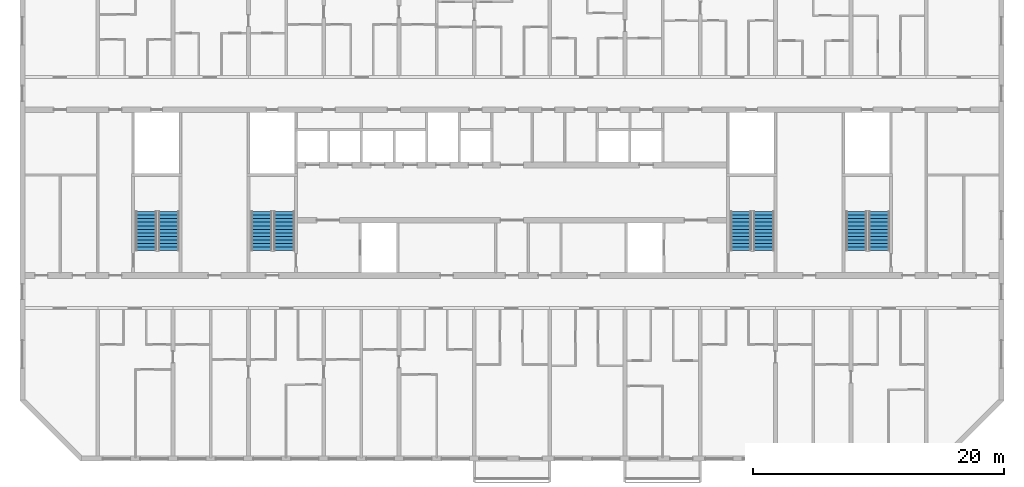
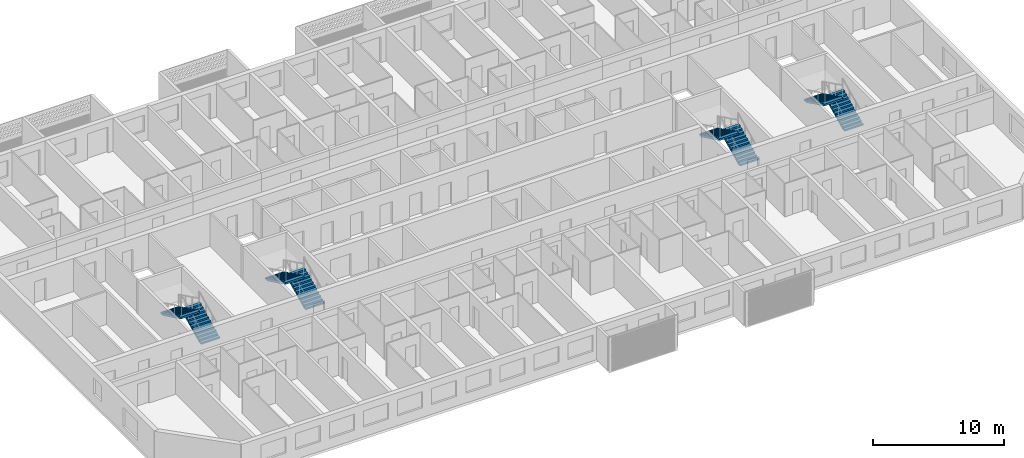
# One storey, part 13 of 31: 8 stair flights, 4 elements without a shape of their own.
"""IFC4 building model written with IfcOpenShell, lengths in metres."""

from ifc_helpers import new_model, si_unit, direction, frame, origin, place, context, subcontext, project, spatial, polyline, outline, extrude, material, layer, layer_set, type_object, element, aggregate, save


model = new_model("IFC4")

# Units and contexts
model_context = context("Model", 3, precision=1e-05, world=origin(), true_north=direction((0.0, 1.0)))
body_context = subcontext(model_context, "Body", "Model", "MODEL_VIEW")
ifc_project = project(units=[si_unit("LENGTHUNIT", "METRE"), si_unit("AREAUNIT", "SQUARE_METRE"), si_unit("VOLUMEUNIT", "CUBIC_METRE"), si_unit("PLANEANGLEUNIT", "RADIAN"), si_unit("MASSUNIT", "GRAM", prefix="KILO")], contexts=[model_context])

# Site, building, storey
site_placement = place(None, origin())
site = spatial("IfcSite", under=ifc_project, at=site_placement, CompositionType="ELEMENT")
building_placement = place(site_placement, origin())
building = spatial("IfcBuilding", under=site, at=building_placement, Name="Poui Terraces", CompositionType="ELEMENT")
storey_placement = place(building_placement, frame((0.0, 0.0, 148.800048828125)))
storey = spatial("IfcBuildingStorey", under=building, at=storey_placement, Name="L41", CompositionType="ELEMENT", Elevation=148.800048828125)

# Stair, stair flights
ifc_material = material(Name="Concrete 65 MPa", Category="concrete")
stair_type = type_object("IfcStairType", Name="EXIT STAIR 1650 65 MPA", PredefinedType="HALF_TURN_STAIR", material=ifc_material)
stair_1_placement = place(storey_placement, origin())
stair_1 = element("IfcStair", 1, at=stair_1_placement, inside=storey, type_object=stair_type, Name="L41 CORE STAIR EAST", PredefinedType="HALF_TURN_STAIR")
ifc_layer = layer(ifc_material, 0.14990234375)
ifc_layer_set = layer_set([ifc_layer], Name="Concrete 65 MPa")
stair_flight_type = type_object("IfcStairFlightType", Name="STAIR FLIGHT 12 RISERS 138 RISE 65 MPA", PredefinedType="STRAIGHT", material=ifc_layer_set)
stair_flight_1_placement = place(storey_placement, frame((71.050048828125, 16.60009765625, 0.0), z_axis=(0.0, 0.0, 1.0), x_axis=(0.0, 1.0, 0.0)))
stair_flight_1 = element("IfcStairFlight", 2, at=stair_flight_1_placement, type_object=stair_flight_type, Name="ST-CE flight 1", NumberOfRisers=12, NumberOfTreads=11, PredefinedType="STRAIGHT", RiserHeight=0.1375, TreadLength=0.28, context=body_context, shape_type="SweptSolid", body=[
    extrude(outline(polyline([(0.0, 0.0), (0.0, 0.137451171875), (0.280029296875, 0.137451171875), (0.280029296875, 0.27490234375), (0.56005859375, 0.27490234375), (0.56005859375, 0.41259765625), (0.840087890625, 0.41259765625), (0.840087890625, 0.550048828125), (1.1201171875, 0.550048828125), (1.1201171875, 0.6875), (1.39990234375, 0.6875), (1.39990234375, 0.824951171875), (1.679931640625, 0.824951171875), (1.679931640625, 0.96240234375), (1.9599609375, 0.96240234375), (1.9599609375, 1.10009765625), (2.239990234375, 1.10009765625), (2.239990234375, 1.237548828125), (2.52001953125, 1.237548828125), (2.52001953125, 1.375), (2.800048828125, 1.375), (2.800048828125, 1.512451171875), (3.080078125, 1.512451171875), (3.080078125, 1.64990234375), (3.080078125, 1.345458984375), (0.340087890625, 0.0), (0.0, 0.0)])), frame((0.0, 0.824951171875, 0.0), z_axis=(0.0, -1.0, 0.0), x_axis=(1.0, 0.0, 0.0)), (0.0, 0.0, 1.0), 1.64990234375),
])
stair_flight_2_placement = place(storey_placement, frame((69.25, 19.679931640625, 1.64990234375), z_axis=(0.0, 0.0, 1.0), x_axis=(0.0, -1.0, 0.0)))
stair_flight_2 = element("IfcStairFlight", 3, at=stair_flight_2_placement, type_object=stair_flight_type, Name="ST-CE flight 2", NumberOfRisers=12, NumberOfTreads=11, PredefinedType="STRAIGHT", RiserHeight=0.1375, TreadLength=0.28, context=body_context, shape_type="SweptSolid", body=[
    extrude(outline(polyline([(0.0, 0.0), (0.0, 0.137451171875), (0.280029296875, 0.137451171875), (0.280029296875, 0.27490234375), (0.56005859375, 0.27490234375), (0.56005859375, 0.41259765625), (0.840087890625, 0.41259765625), (0.840087890625, 0.550048828125), (1.1201171875, 0.550048828125), (1.1201171875, 0.6875), (1.39990234375, 0.6875), (1.39990234375, 0.824951171875), (1.679931640625, 0.824951171875), (1.679931640625, 0.96240234375), (1.9599609375, 0.96240234375), (1.9599609375, 1.10009765625), (2.239990234375, 1.10009765625), (2.239990234375, 1.237548828125), (2.52001953125, 1.237548828125), (2.52001953125, 1.375), (2.800048828125, 1.375), (2.800048828125, 1.512451171875), (3.080078125, 1.512451171875), (3.080078125, 1.64990234375), (3.080078125, 1.345458984375), (0.340087890625, 0.0), (0.0, 0.0)])), frame((0.0, 0.824951171875, 0.0), z_axis=(0.0, -1.0, 0.0), x_axis=(1.0, 0.0, 0.0)), (0.0, 0.0, 1.0), 1.64990234375),
])
aggregate(stair_1, [stair_flight_1, stair_flight_2])

stair_2_placement = place(storey_placement, origin())
stair_2 = element("IfcStair", 4, at=stair_2_placement, inside=storey, type_object=stair_type, Name="L41 CORE STAIR WEST", PredefinedType="HALF_TURN_STAIR")
stair_flight_3_placement = place(storey_placement, frame((32.85009765625, 16.60009765625, 0.0), z_axis=(0.0, 0.0, 1.0), x_axis=(0.0, 1.0, 0.0)))
stair_flight_3 = element("IfcStairFlight", 5, at=stair_flight_3_placement, type_object=stair_flight_type, Name="ST-CW flight 1", NumberOfRisers=12, NumberOfTreads=11, PredefinedType="STRAIGHT", RiserHeight=0.1375, TreadLength=0.28, context=body_context, shape_type="SweptSolid", body=[
    extrude(outline(polyline([(0.0, 0.0), (0.0, 0.137451171875), (0.280029296875, 0.137451171875), (0.280029296875, 0.27490234375), (0.56005859375, 0.27490234375), (0.56005859375, 0.41259765625), (0.840087890625, 0.41259765625), (0.840087890625, 0.550048828125), (1.1201171875, 0.550048828125), (1.1201171875, 0.6875), (1.39990234375, 0.6875), (1.39990234375, 0.824951171875), (1.679931640625, 0.824951171875), (1.679931640625, 0.96240234375), (1.9599609375, 0.96240234375), (1.9599609375, 1.10009765625), (2.239990234375, 1.10009765625), (2.239990234375, 1.237548828125), (2.52001953125, 1.237548828125), (2.52001953125, 1.375), (2.800048828125, 1.375), (2.800048828125, 1.512451171875), (3.080078125, 1.512451171875), (3.080078125, 1.64990234375), (3.080078125, 1.345458984375), (0.340087890625, 0.0), (0.0, 0.0)])), frame((0.0, 0.824951171875, 0.0), z_axis=(0.0, -1.0, 0.0), x_axis=(1.0, 0.0, 0.0)), (0.0, 0.0, 1.0), 1.64990234375),
])
stair_flight_4_placement = place(storey_placement, frame((31.050048828125, 19.679931640625, 1.64990234375), z_axis=(0.0, 0.0, 1.0), x_axis=(0.0, -1.0, 0.0)))
stair_flight_4 = element("IfcStairFlight", 6, at=stair_flight_4_placement, type_object=stair_flight_type, Name="ST-CW flight 2", NumberOfRisers=12, NumberOfTreads=11, PredefinedType="STRAIGHT", RiserHeight=0.1375, TreadLength=0.28, context=body_context, shape_type="SweptSolid", body=[
    extrude(outline(polyline([(0.0, 0.0), (0.0, 0.137451171875), (0.280029296875, 0.137451171875), (0.280029296875, 0.27490234375), (0.56005859375, 0.27490234375), (0.56005859375, 0.41259765625), (0.840087890625, 0.41259765625), (0.840087890625, 0.550048828125), (1.1201171875, 0.550048828125), (1.1201171875, 0.6875), (1.39990234375, 0.6875), (1.39990234375, 0.824951171875), (1.679931640625, 0.824951171875), (1.679931640625, 0.96240234375), (1.9599609375, 0.96240234375), (1.9599609375, 1.10009765625), (2.239990234375, 1.10009765625), (2.239990234375, 1.237548828125), (2.52001953125, 1.237548828125), (2.52001953125, 1.375), (2.800048828125, 1.375), (2.800048828125, 1.512451171875), (3.080078125, 1.512451171875), (3.080078125, 1.64990234375), (3.080078125, 1.345458984375), (0.340087890625, 0.0), (0.0, 0.0)])), frame((0.0, 0.824951171875, 0.0), z_axis=(0.0, -1.0, 0.0), x_axis=(1.0, 0.0, 0.0)), (0.0, 0.0, 1.0), 1.64990234375),
])
aggregate(stair_2, [stair_flight_3, stair_flight_4])

stair_3_placement = place(storey_placement, origin())
stair_3 = element("IfcStair", 7, at=stair_3_placement, inside=storey, type_object=stair_type, Name="L41 TIP STAIR EAST", PredefinedType="HALF_TURN_STAIR")
stair_flight_5_placement = place(storey_placement, frame((80.25, 16.60009765625, 0.0), z_axis=(0.0, 0.0, 1.0), x_axis=(0.0, 1.0, 0.0)))
stair_flight_5 = element("IfcStairFlight", 8, at=stair_flight_5_placement, type_object=stair_flight_type, Name="ST-E flight 1", NumberOfRisers=12, NumberOfTreads=11, PredefinedType="STRAIGHT", RiserHeight=0.1375, TreadLength=0.28, context=body_context, shape_type="SweptSolid", body=[
    extrude(outline(polyline([(0.0, 0.0), (0.0, 0.137451171875), (0.280029296875, 0.137451171875), (0.280029296875, 0.27490234375), (0.56005859375, 0.27490234375), (0.56005859375, 0.41259765625), (0.840087890625, 0.41259765625), (0.840087890625, 0.550048828125), (1.1201171875, 0.550048828125), (1.1201171875, 0.6875), (1.39990234375, 0.6875), (1.39990234375, 0.824951171875), (1.679931640625, 0.824951171875), (1.679931640625, 0.96240234375), (1.9599609375, 0.96240234375), (1.9599609375, 1.10009765625), (2.239990234375, 1.10009765625), (2.239990234375, 1.237548828125), (2.52001953125, 1.237548828125), (2.52001953125, 1.375), (2.800048828125, 1.375), (2.800048828125, 1.512451171875), (3.080078125, 1.512451171875), (3.080078125, 1.64990234375), (3.080078125, 1.345458984375), (0.340087890625, 0.0), (0.0, 0.0)])), frame((0.0, 0.824951171875, 0.0), z_axis=(0.0, -1.0, 0.0), x_axis=(1.0, 0.0, 0.0)), (0.0, 0.0, 1.0), 1.64990234375),
])
stair_flight_6_placement = place(storey_placement, frame((78.449951171875, 19.679931640625, 1.64990234375), z_axis=(0.0, 0.0, 1.0), x_axis=(0.0, -1.0, 0.0)))
stair_flight_6 = element("IfcStairFlight", 9, at=stair_flight_6_placement, type_object=stair_flight_type, Name="ST-E flight 2", NumberOfRisers=12, NumberOfTreads=11, PredefinedType="STRAIGHT", RiserHeight=0.1375, TreadLength=0.28, context=body_context, shape_type="SweptSolid", body=[
    extrude(outline(polyline([(0.0, 0.0), (0.0, 0.137451171875), (0.280029296875, 0.137451171875), (0.280029296875, 0.27490234375), (0.56005859375, 0.27490234375), (0.56005859375, 0.41259765625), (0.840087890625, 0.41259765625), (0.840087890625, 0.550048828125), (1.1201171875, 0.550048828125), (1.1201171875, 0.6875), (1.39990234375, 0.6875), (1.39990234375, 0.824951171875), (1.679931640625, 0.824951171875), (1.679931640625, 0.96240234375), (1.9599609375, 0.96240234375), (1.9599609375, 1.10009765625), (2.239990234375, 1.10009765625), (2.239990234375, 1.237548828125), (2.52001953125, 1.237548828125), (2.52001953125, 1.375), (2.800048828125, 1.375), (2.800048828125, 1.512451171875), (3.080078125, 1.512451171875), (3.080078125, 1.64990234375), (3.080078125, 1.345458984375), (0.340087890625, 0.0), (0.0, 0.0)])), frame((0.0, 0.824951171875, 0.0), z_axis=(0.0, -1.0, 0.0), x_axis=(1.0, 0.0, 0.0)), (0.0, 0.0, 1.0), 1.64990234375),
])
aggregate(stair_3, [stair_flight_5, stair_flight_6])

stair_4_placement = place(storey_placement, origin())
stair_4 = element("IfcStair", 10, at=stair_4_placement, inside=storey, type_object=stair_type, Name="L41 TIP STAIR WEST", PredefinedType="HALF_TURN_STAIR")
stair_flight_7_placement = place(storey_placement, frame((23.64990234375, 16.60009765625, 0.0), z_axis=(0.0, 0.0, 1.0), x_axis=(0.0, 1.0, 0.0)))
stair_flight_7 = element("IfcStairFlight", 11, at=stair_flight_7_placement, type_object=stair_flight_type, Name="ST-W flight 1", NumberOfRisers=12, NumberOfTreads=11, PredefinedType="STRAIGHT", RiserHeight=0.1375, TreadLength=0.28, context=body_context, shape_type="SweptSolid", body=[
    extrude(outline(polyline([(0.0, 0.0), (0.0, 0.137451171875), (0.280029296875, 0.137451171875), (0.280029296875, 0.27490234375), (0.56005859375, 0.27490234375), (0.56005859375, 0.41259765625), (0.840087890625, 0.41259765625), (0.840087890625, 0.550048828125), (1.1201171875, 0.550048828125), (1.1201171875, 0.6875), (1.39990234375, 0.6875), (1.39990234375, 0.824951171875), (1.679931640625, 0.824951171875), (1.679931640625, 0.96240234375), (1.9599609375, 0.96240234375), (1.9599609375, 1.10009765625), (2.239990234375, 1.10009765625), (2.239990234375, 1.237548828125), (2.52001953125, 1.237548828125), (2.52001953125, 1.375), (2.800048828125, 1.375), (2.800048828125, 1.512451171875), (3.080078125, 1.512451171875), (3.080078125, 1.64990234375), (3.080078125, 1.345458984375), (0.340087890625, 0.0), (0.0, 0.0)])), frame((0.0, 0.824951171875, 0.0), z_axis=(0.0, -1.0, 0.0), x_axis=(1.0, 0.0, 0.0)), (0.0, 0.0, 1.0), 1.64990234375),
])
stair_flight_8_placement = place(storey_placement, frame((21.85009765625, 19.679931640625, 1.64990234375), z_axis=(0.0, 0.0, 1.0), x_axis=(0.0, -1.0, 0.0)))
stair_flight_8 = element("IfcStairFlight", 12, at=stair_flight_8_placement, type_object=stair_flight_type, Name="ST-W flight 2", NumberOfRisers=12, NumberOfTreads=11, PredefinedType="STRAIGHT", RiserHeight=0.1375, TreadLength=0.28, context=body_context, shape_type="SweptSolid", body=[
    extrude(outline(polyline([(0.0, 0.0), (0.0, 0.137451171875), (0.280029296875, 0.137451171875), (0.280029296875, 0.27490234375), (0.56005859375, 0.27490234375), (0.56005859375, 0.41259765625), (0.840087890625, 0.41259765625), (0.840087890625, 0.550048828125), (1.1201171875, 0.550048828125), (1.1201171875, 0.6875), (1.39990234375, 0.6875), (1.39990234375, 0.824951171875), (1.679931640625, 0.824951171875), (1.679931640625, 0.96240234375), (1.9599609375, 0.96240234375), (1.9599609375, 1.10009765625), (2.239990234375, 1.10009765625), (2.239990234375, 1.237548828125), (2.52001953125, 1.237548828125), (2.52001953125, 1.375), (2.800048828125, 1.375), (2.800048828125, 1.512451171875), (3.080078125, 1.512451171875), (3.080078125, 1.64990234375), (3.080078125, 1.345458984375), (0.340087890625, 0.0), (0.0, 0.0)])), frame((0.0, 0.824951171875, 0.0), z_axis=(0.0, -1.0, 0.0), x_axis=(1.0, 0.0, 0.0)), (0.0, 0.0, 1.0), 1.64990234375),
])
aggregate(stair_4, [stair_flight_7, stair_flight_8])

save(model, "model.ifc")
